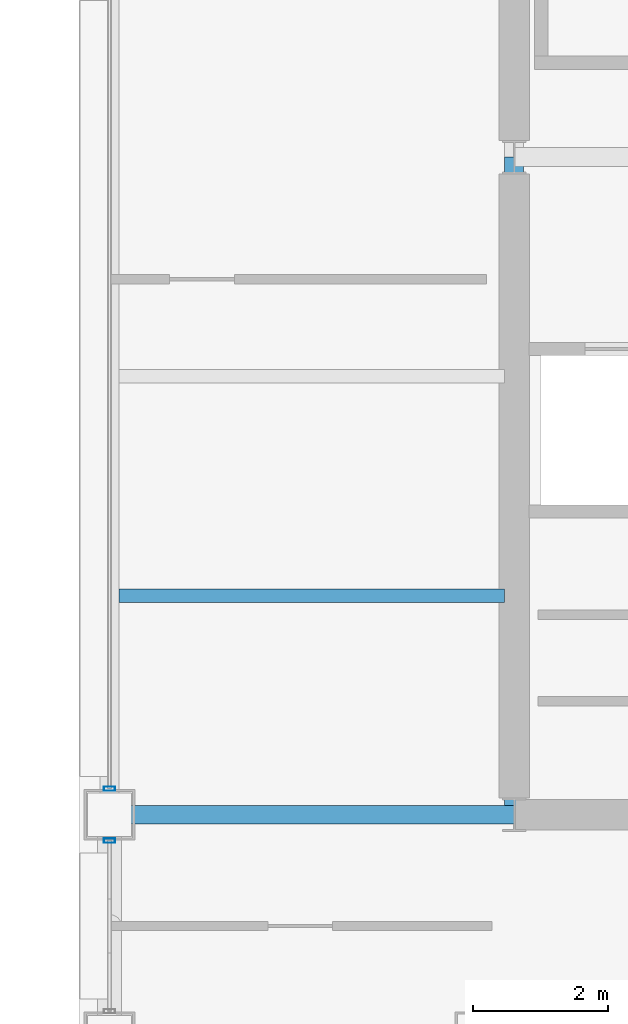
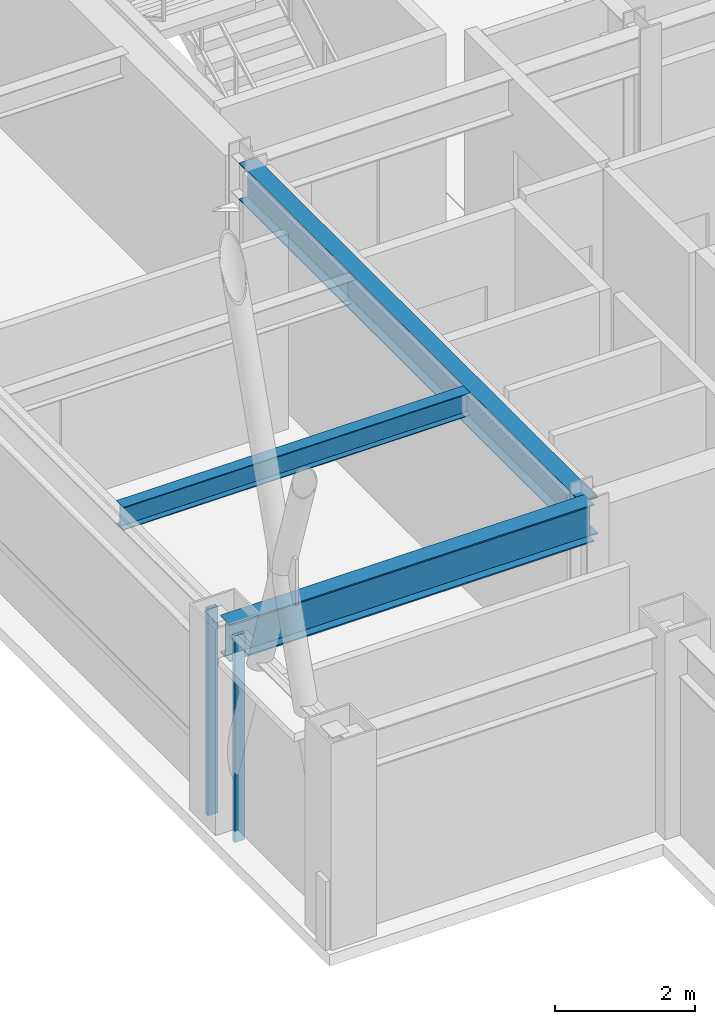
# One storey, part 5 of 30: 3 beams, 2 members, 2 elements without a shape of their own.
"""IFC4 building model written with IfcOpenShell, lengths in metres."""

from ifc_helpers import new_model, si_unit, direction, frame, origin, origin_2d, place, context, subcontext, project, spatial, hollow_rectangle, i_section, extrude, material, layer, layer_set, material_profile, profile_set, type_object, element, aggregate, save


model = new_model("IFC4")

# Units and contexts
model_context = context("Model", 3, precision=1e-05, world=origin(), true_north=direction((0.0, 1.0)))
body_context = subcontext(model_context, "Body", "Model", "MODEL_VIEW")
ifc_project = project(units=[si_unit("LENGTHUNIT", "METRE"), si_unit("AREAUNIT", "SQUARE_METRE"), si_unit("VOLUMEUNIT", "CUBIC_METRE"), si_unit("PLANEANGLEUNIT", "RADIAN"), si_unit("MASSUNIT", "GRAM", prefix="KILO")], contexts=[model_context])

# Site, building, storey
site_placement = place(None, origin())
site = spatial("IfcSite", under=ifc_project, at=site_placement, CompositionType="ELEMENT")
building_placement = place(site_placement, origin())
building = spatial("IfcBuilding", under=site, at=building_placement, Name="Brelmoor Portico Tower", CompositionType="ELEMENT")
storey_placement = place(building_placement, frame((0.0, 0.0, 173.10009765625)))
storey = spatial("IfcBuildingStorey", under=building, at=storey_placement, Name="L45", CompositionType="ELEMENT", Elevation=173.10009765625)

# Beams
ifc_material_1 = material(Name="Steel Q355B", Category="steel")
ifc_material_profile_1 = material_profile(ifc_material_1, i_section(OverallWidth=0.199951171875, OverallDepth=0.39990234375, WebThickness=0.008056640625, FlangeThickness=0.012939453125, at=origin_2d()), Name="HN 400x200x8x13")
ifc_profile_set_1 = profile_set([ifc_material_profile_1], Name="Steel Q355B")
beam_type_1 = type_object("IfcBeamType", Name="BM-JS-400", PredefinedType="JOIST", material=ifc_profile_set_1)
beam_1_placement = place(storey_placement, frame((-20.409912109375, -6.5, 3.199951171875), z_axis=(1.0, 0.0, 0.0), x_axis=(0.0, 1.0, 0.0)))
element("IfcBeam", 1, at=beam_1_placement, inside=storey, type_object=beam_type_1, Name="L45 Secondary Wing Joist JS-W05", PredefinedType="JOIST", context=body_context, shape_type="SweptSolid", body=[
    extrude(i_section(OverallWidth=0.199951171875, OverallDepth=0.39990234375, WebThickness=0.008056640625, FlangeThickness=0.012939453125, at=origin_2d()), origin(), (0.0, 0.0, 1.0), 5.719970703125),
])
ifc_material_profile_2 = material_profile(ifc_material_1, i_section(OverallWidth=0.280029296875, OverallDepth=0.64990234375, WebThickness=0.012939453125, FlangeThickness=0.02197265625, at=origin_2d()), Name="HN 650x280x13x22")
ifc_profile_set_2 = profile_set([ifc_material_profile_2], Name="Steel Q355B")
beam_type_2 = type_object("IfcBeamType", Name="BM-PG-650", PredefinedType="BEAM", material=ifc_profile_set_2)
beam_2_placement = place(storey_placement, frame((-14.550048828125, -9.75, 3.074951171875), z_axis=(0.0, 1.0, 0.0), x_axis=(-1.0, 0.0, 0.0)))
element("IfcBeam", 2, at=beam_2_placement, inside=storey, type_object=beam_type_2, Name="L45 Primary Floor Girder PG-01", PredefinedType="BEAM", context=body_context, shape_type="SweptSolid", body=[
    extrude(i_section(OverallWidth=0.280029296875, OverallDepth=0.64990234375, WebThickness=0.012939453125, FlangeThickness=0.02197265625, at=origin_2d()), origin(), (0.0, 0.0, 1.0), 9.75),
])
beam_3_placement = place(storey_placement, frame((-20.550048828125, -9.75, 3.074951171875), z_axis=(1.0, 0.0, 0.0), x_axis=(0.0, 1.0, 0.0)))
element("IfcBeam", 3, at=beam_3_placement, inside=storey, type_object=beam_type_2, Name="L45 Primary Floor Girder PG-11", PredefinedType="BEAM", context=body_context, shape_type="SweptSolid", body=[
    extrude(i_section(OverallWidth=0.280029296875, OverallDepth=0.64990234375, WebThickness=0.012939453125, FlangeThickness=0.02197265625, at=origin_2d()), origin(), (0.0, 0.0, 1.0), 6.0),
])

# Curtain wall, member
ifc_material_2 = material(Name="Anodised Aluminium Alloy 6063-T6", Category="aluminium")
ifc_layer_1 = layer(ifc_material_2, 0.179931640625)
ifc_layer_set_1 = layer_set([ifc_layer_1], Name="Anodised Aluminium Alloy 6063-T6")
curtain_wall_type_1 = type_object("IfcCurtainWallType", Name="CW-TOWER-Z3-XB", PredefinedType="NOTDEFINED", material=ifc_layer_set_1)
curtain_wall_1_placement = place(storey_placement, origin())
curtain_wall_1 = element("IfcCurtainWall", 4, at=curtain_wall_1_placement, inside=storey, type_object=curtain_wall_type_1, Name="L45 Curtain Wall CW-L45-3L-1", PredefinedType="NOTDEFINED")
ifc_material_profile_3 = material_profile(ifc_material_2, hollow_rectangle(XDim=0.06494140625, YDim=0.1650390625, WallThickness=0.00390625, at=origin_2d()), Name="ALU MULLION 65x165")
ifc_profile_set_3 = profile_set([ifc_material_profile_3], Name="Anodised Aluminium Alloy 6063-T6")
member_type = type_object("IfcMemberType", Name="MB-CW-MULL-165", PredefinedType="MULLION", material=ifc_profile_set_3)
member_1_placement = place(storey_placement, frame((-20.550048828125, -10.135009765625, -0.2001953125), z_axis=(0.0, 0.0, 1.0), x_axis=(0.0, 1.0, 0.0)))
member_1 = element("IfcMember", 5, at=member_1_placement, type_object=member_type, Name="CW-L45-3L-1 Mullion 01", PredefinedType="MULLION", context=body_context, shape_type="SweptSolid", body=[
    extrude(hollow_rectangle(XDim=0.06494140625, YDim=0.1650390625, WallThickness=0.00390625, at=origin_2d()), origin(), (0.0, 0.0, 1.0), 3.60009765625),
])
aggregate(curtain_wall_1, [member_1])

ifc_layer_2 = layer(ifc_material_2, 0.179931640625)
ifc_layer_set_2 = layer_set([ifc_layer_2], Name="Anodised Aluminium Alloy 6063-T6")
curtain_wall_type_2 = type_object("IfcCurtainWallType", Name="CW-TOWER-Z3", PredefinedType="NOTDEFINED", material=ifc_layer_set_2)
curtain_wall_2_placement = place(storey_placement, origin())
curtain_wall_2 = element("IfcCurtainWall", 6, at=curtain_wall_2_placement, inside=storey, type_object=curtain_wall_type_2, Name="L45 Curtain Wall CW-L45-3L-2", PredefinedType="NOTDEFINED")
member_2_placement = place(storey_placement, frame((-20.550048828125, -9.364990234375, -0.2001953125), z_axis=(0.0, 0.0, 1.0), x_axis=(0.0, 1.0, 0.0)))
member_2 = element("IfcMember", 7, at=member_2_placement, type_object=member_type, Name="CW-L45-3L-2 Mullion 00", PredefinedType="MULLION", context=body_context, shape_type="SweptSolid", body=[
    extrude(hollow_rectangle(XDim=0.06494140625, YDim=0.1650390625, WallThickness=0.00390625, at=origin_2d()), origin(), (0.0, 0.0, 1.0), 3.60009765625),
])
aggregate(curtain_wall_2, [member_2])

save(model, "model.ifc")
